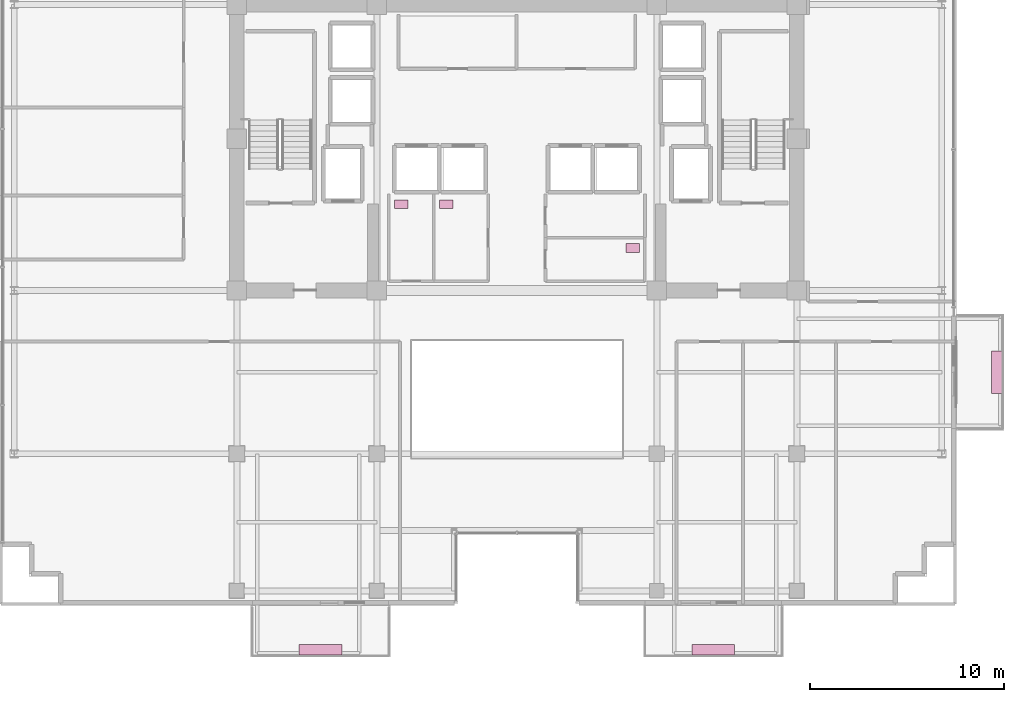
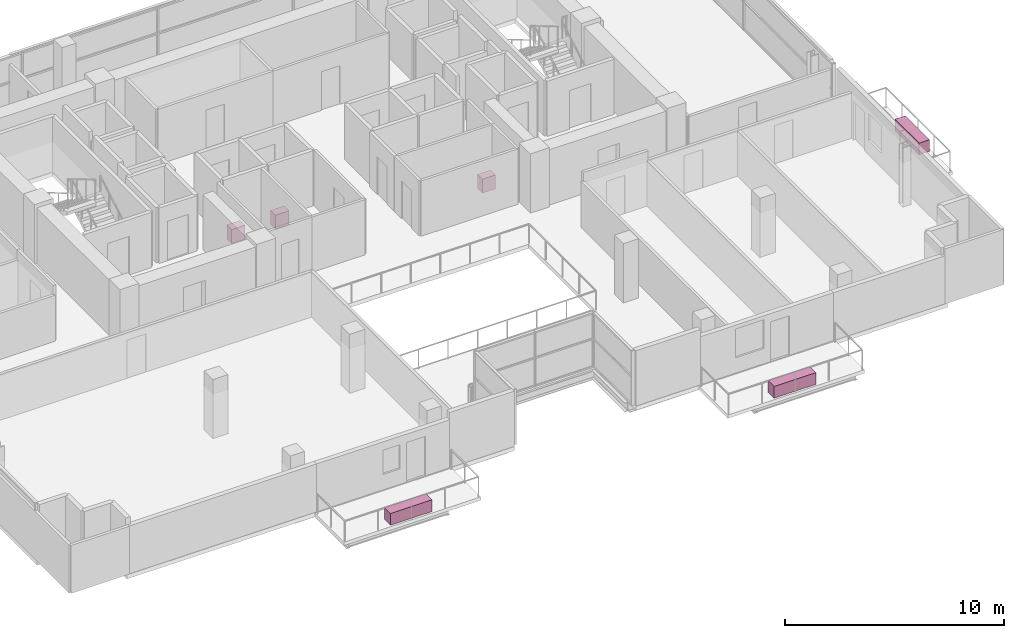
# One storey, part 25 of 25: 6 furnishings.
"""IFC4 building model written with IfcOpenShell, lengths in metres."""

from ifc_helpers import new_model, si_unit, direction, frame, origin, origin_2d, place, context, subcontext, project, spatial, rectangle, extrude, source, transform, mapped, material, type_object, element, save


model = new_model("IFC4")

# Units and contexts
model_context = context("Model", 3, precision=1e-05, world=origin(), true_north=direction((0.0, 1.0)))
body_context = subcontext(model_context, "Body", "Model", "MODEL_VIEW")
ifc_project = project(units=[si_unit("LENGTHUNIT", "METRE"), si_unit("AREAUNIT", "SQUARE_METRE"), si_unit("VOLUMEUNIT", "CUBIC_METRE"), si_unit("PLANEANGLEUNIT", "RADIAN"), si_unit("MASSUNIT", "GRAM", prefix="KILO")], contexts=[model_context])

# Site, building, storey
site_placement = place(None, origin())
site = spatial("IfcSite", under=ifc_project, at=site_placement, CompositionType="ELEMENT")
building_placement = place(site_placement, origin())
building = spatial("IfcBuilding", under=site, at=building_placement, Name="Zarnakvel Exchange Tower", CompositionType="ELEMENT")
storey_placement = place(building_placement, frame((0.0, 0.0, 156.10009765625)))
storey = spatial("IfcBuildingStorey", under=building, at=storey_placement, Name="L43", CompositionType="ELEMENT", Elevation=156.10009765625)

# Furnishings
ifc_material_1 = material(Name="Architectural Bronze Anodised Aluminium", Category="aluminium")
furnishing_element_type_1 = type_object("IfcFurnishingElementType", Name="PLNT-01", material=ifc_material_1)
shared_shape_1 = source(origin(), body_context, "Body", "SweptSolid", [
    extrude(rectangle(XDim=2.199951171875, YDim=0.550048828125, at=origin_2d()), origin(), (0.0, 0.0, 1.0), 0.64990234375),
])
for number, where, z_axis, x_axis, name in (
    (1, (-10.10009765625, -19.669921875, -0.03515625), (0.0, 0.0, 1.0), (1.0, 0.0, 0.0), "L43 Balcony Greenery Planter BAL-L43-SW"),
    (2, (10.10009765625, -19.669921875, -0.03515625), (0.0, 0.0, 1.0), (1.0, 0.0, 0.0), "L43 Balcony Greenery Planter BAL-L43-SE"),
    (3, (24.669921875, -5.39990234375, -0.03515625), (0.0, 0.0, 1.0), (0.0, 1.0, 0.0), "L43 Balcony Greenery Planter BAL-L43-E"),
):
    element("IfcFurnishingElement", number, at=place(storey_placement, frame(where, z_axis=z_axis, x_axis=x_axis)), inside=storey, type_object=furnishing_element_type_1, Name=name, ObjectType="PLANTER", context=body_context, shape_type="MappedRepresentation", body=[
        mapped(shared_shape_1, transform((0.0, 0.0, 0.0), x_axis=(1.0, 0.0, 0.0), y_axis=(0.0, 1.0, 0.0), z_axis=(0.0, 0.0, 1.0), scale=1.0)),
    ])
ifc_material_2 = material(Name="Vitreous China Sanitaryware", Category="ceramic")
furnishing_element_type_2 = type_object("IfcFurnishingElementType", Name="SAN-WC", material=ifc_material_2)
shared_shape_2 = source(origin(), body_context, "Body", "SweptSolid", [
    extrude(rectangle(XDim=0.699951171875, YDim=0.449951171875, at=origin_2d()), origin(), (0.0, 0.0, 1.0), 0.780029296875),
])
for number, where, z_axis, x_axis, name in (
    (4, (-5.949951171875, 3.22998046875, 0.0), (0.0, 0.0, 1.0), (1.0, 0.0, 0.0), "L43 Sanitary Fixture (Female Toilet)"),
    (5, (-3.639892578125, 3.22998046875, 0.0), (0.0, 0.0, 1.0), (1.0, 0.0, 0.0), "L43 Sanitary Fixture (Male Toilet)"),
    (6, (5.949951171875, 0.989990234375, 0.0), (0.0, 0.0, 1.0), (1.0, 0.0, 0.0), "L43 Sanitary Fixture (Accessible Toilet)"),
):
    element("IfcFurnishingElement", number, at=place(storey_placement, frame(where, z_axis=z_axis, x_axis=x_axis)), inside=storey, type_object=furnishing_element_type_2, Name=name, ObjectType="SANITARY_FIXTURE", context=body_context, shape_type="MappedRepresentation", body=[
        mapped(shared_shape_2, transform((0.0, 0.0, 0.0), x_axis=(1.0, 0.0, 0.0), y_axis=(0.0, 1.0, 0.0), z_axis=(0.0, 0.0, 1.0), scale=1.0)),
    ])

save(model, "model.ifc")
